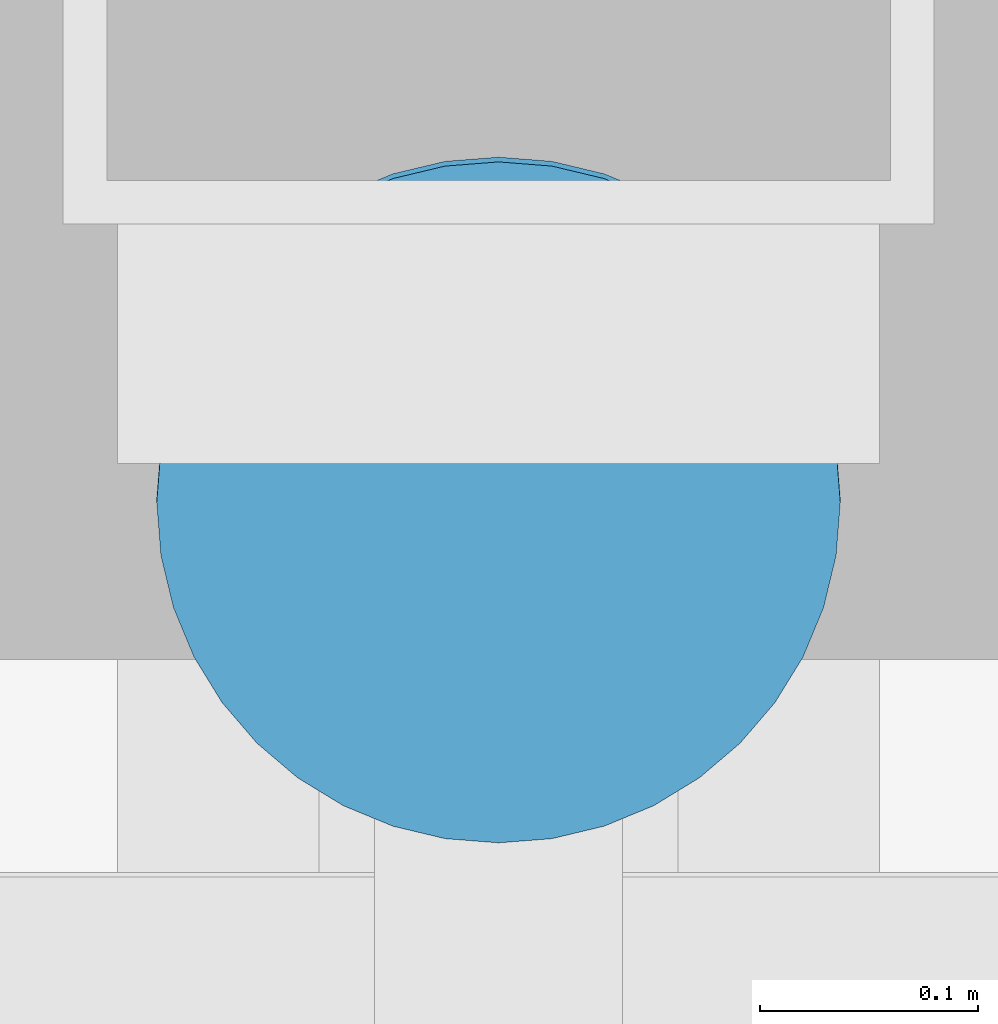
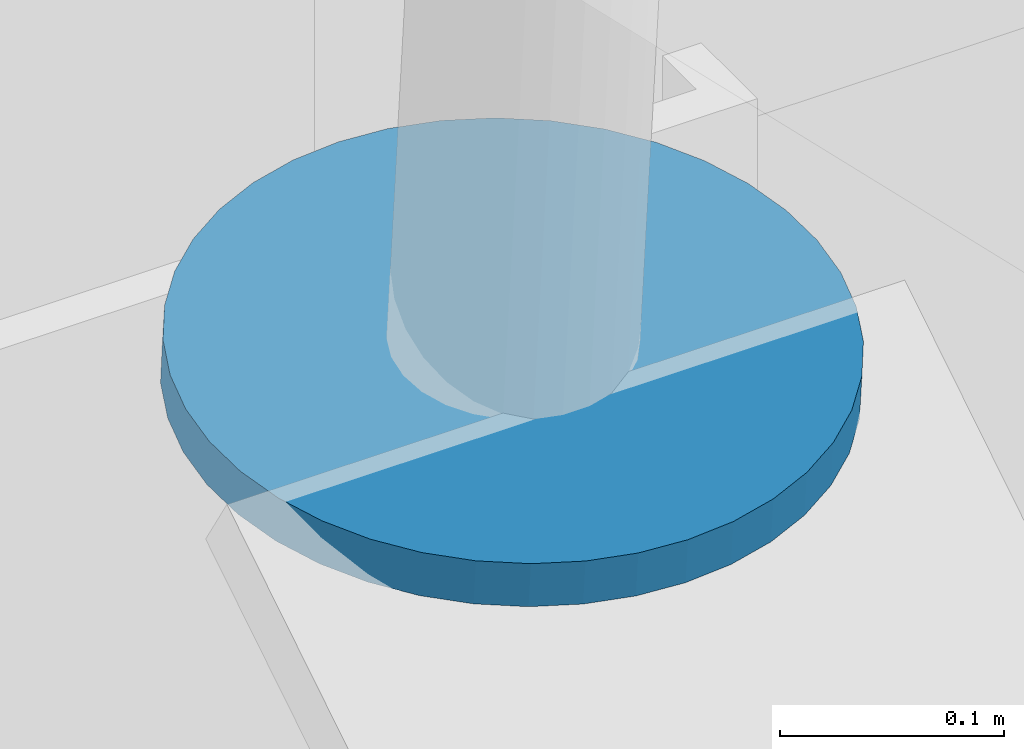
# One storey, part 21 of 25: 1 discrete accessory.
"""IFC4 building model written with IfcOpenShell, lengths in metres."""

import ifcopenshell
import ifcopenshell.guid

model = None  # the IFC model being written
_history = None  # IfcOwnerHistory: only IFC2X3 demands one
_inside = {}  # id of a spatial element -> (the spatial element, [elements in it])
_under = {}  # id of a project, library or spatial element -> (it, [spatial elements below it])
_declared = {}  # id of a project -> (the project, [libraries it declares])
_typed = {}  # id of a type object -> (the type object, [elements of that type])
_made_of = {}  # id of a material, layer set ... -> (it, [elements and type objects made of it])


def new_model(schema):
    """Start an empty IFC model of exactly this schema.

    Asked for "IFC4X3", IfcOpenShell would pick the latest addendum, in which some entities
    have other attributes; the version numbers below select the first issue.
    IFC2X3 requires an IfcOwnerHistory on every rooted entity: one is made here for all.
    """
    global model, _history
    if schema == "IFC4X3":
        model = ifcopenshell.file(schema_version=(4, 3, 0, 0))
    else:
        model = ifcopenshell.file(schema=schema)
    _inside.clear()
    _under.clear()
    _declared.clear()
    _typed.clear()
    _made_of.clear()
    _history = None
    if model.schema == "IFC2X3":
        org = make("IfcOrganization", Name="unknown")
        user = make(
            "IfcPersonAndOrganization",
            ThePerson=make("IfcPerson", FamilyName="unknown"),
            TheOrganization=org,
        )
        app = make(
            "IfcApplication",
            ApplicationDeveloper=org,
            Version="unknown",
            ApplicationFullName="unknown",
            ApplicationIdentifier="unknown",
        )
        _history = make(
            "IfcOwnerHistory",
            OwningUser=user,
            OwningApplication=app,
            ChangeAction="ADDED",
            CreationDate=0,
        )
    return model


def make(cls, **values):
    """One entity of the class cls with the attributes given. An attribute that is None is left unset."""
    return model.create_entity(
        cls, **{name: value for name, value in values.items() if value is not None}
    )


def rooted(cls, **values):
    """An entity with a GlobalId (a new one), such as an element, a storey or a relation."""
    return make(cls, GlobalId=ifcopenshell.guid.new(), OwnerHistory=_history, **values)


def si_unit(unit_type, name, prefix=None):
    """IfcSIUnit, for example si_unit("LENGTHUNIT", "METRE", prefix="MILLI")."""
    return make("IfcSIUnit", UnitType=unit_type, Prefix=prefix, Name=name)


def assignment(units):
    """IfcUnitAssignment: the units of a project."""
    return None if units is None else make("IfcUnitAssignment", Units=units)


def point(xyz):
    """IfcCartesianPoint."""
    return None if xyz is None else make("IfcCartesianPoint", Coordinates=xyz)


def direction(xyz):
    """IfcDirection."""
    return None if xyz is None else make("IfcDirection", DirectionRatios=xyz)


def frame(location, z_axis=None, x_axis=None):
    """IfcAxis2Placement3D, a coordinate frame: its origin and axes. An axis left out is left unset."""
    return make(
        "IfcAxis2Placement3D",
        Location=point(location),
        Axis=direction(z_axis),
        RefDirection=direction(x_axis),
    )


def frame_2d(location, x_axis=None):
    """IfcAxis2Placement2D, a coordinate frame in the plane: its origin and x axis."""
    return make(
        "IfcAxis2Placement2D", Location=point(location), RefDirection=direction(x_axis)
    )


def origin():
    """The frame at (0, 0, 0) with its axes left unset."""
    return frame((0.0, 0.0, 0.0))


def origin_2d():
    """The frame at (0, 0) in the plane with its x axis left unset."""
    return frame_2d((0.0, 0.0))


def place(relative_to, where):
    """IfcLocalPlacement: puts the frame where relative to a parent placement (None: the world)."""
    return make(
        "IfcLocalPlacement", PlacementRelTo=relative_to, RelativePlacement=where
    )


def context(
    kind, dimensions, precision=None, world=None, true_north=None, identifier=None
):
    """IfcGeometricRepresentationContext, for example the 3D "Model" context."""
    return make(
        "IfcGeometricRepresentationContext",
        ContextIdentifier=identifier,
        ContextType=kind,
        CoordinateSpaceDimension=dimensions,
        Precision=precision,
        WorldCoordinateSystem=world,
        TrueNorth=true_north,
    )


def subcontext(parent, identifier, kind, view, scale=None):
    """IfcGeometricRepresentationSubContext, for example "Body" below "Model"."""
    return make(
        "IfcGeometricRepresentationSubContext",
        ContextIdentifier=identifier,
        ContextType=kind,
        ParentContext=parent,
        TargetScale=scale,
        TargetView=view,
    )


def project(units=None, contexts=None):
    """IfcProject with its units and contexts."""
    return rooted(
        "IfcProject",
        Name="project",
        RepresentationContexts=contexts,
        UnitsInContext=assignment(units),
    )


def spatial(cls, under=None, at=None, **own):
    """A site, building, storey or space (cls), placed at a placement, below another one or the project."""
    s = rooted(cls, ObjectPlacement=at, **own)
    if under is not None:
        _under.setdefault(under.id(), (under, []))[1].append(s)
    return s


def profile(cls, at=None, kind="AREA", **sizes):
    """A parametric profile (cls). Its sizes go by their IFC names, for example OverallWidth=200.0."""
    return make(cls, ProfileType=kind, Position=at, **sizes)


def circle(**sizes):
    """IfcCircleProfileDef."""
    return profile("IfcCircleProfileDef", **sizes)


def extrude(swept, where, along, depth):
    """IfcExtrudedAreaSolid: the profile swept, set in the frame where, extruded along a direction by depth."""
    return make(
        "IfcExtrudedAreaSolid",
        SweptArea=swept,
        Position=where,
        ExtrudedDirection=direction(along),
        Depth=depth,
    )


def shape(context_of_items, identifier, shape_type, items):
    """IfcShapeRepresentation: the items that make up one representation, for example the "Body"."""
    return make(
        "IfcShapeRepresentation",
        ContextOfItems=context_of_items,
        RepresentationIdentifier=identifier,
        RepresentationType=shape_type,
        Items=items,
    )


def made_of(thing, what):
    """Note that an element or type object is made of a material, layer set ...; save() writes the relation."""
    if what is not None:
        _made_of.setdefault(what.id(), (what, []))[1].append(thing)
    return thing


def element(
    cls,
    number,
    at=None,
    inside=None,
    cuts=None,
    type_object=None,
    material=None,
    context=None,
    identifier="Body",
    shape_type=None,
    held_by="IfcProductDefinitionShape",
    body=None,
    shapes=None,
    **own,
):
    """One element of the class cls, such as IfcWall. Its Tag is "e" and its number.

    at: its placement. inside: the storey or other place that contains it. cuts: it is an
    opening in that element (IfcRelVoidsElement). A single representation is given by context,
    identifier, shape_type and body (its items); several are given by shapes. held_by: the class
    of the entity that holds the representations. save() writes the other relations.
    """
    e = rooted(cls, Tag="e%d" % number, ObjectPlacement=at, **own)
    if body is not None:
        shapes = [shape(context, identifier, shape_type, body)]
    if shapes is not None:
        e.Representation = make(held_by, Representations=shapes)
    if inside is not None:
        _inside.setdefault(inside.id(), (inside, []))[1].append(e)
    if cuts is not None:
        rooted(
            "IfcRelVoidsElement", RelatingBuildingElement=cuts, RelatedOpeningElement=e
        )
    if type_object is not None:
        _typed.setdefault(type_object.id(), (type_object, []))[1].append(e)
    return made_of(e, material)


def aggregate(whole, parts):
    """IfcRelAggregates: a whole, such as a stair, and the parts it consists of."""
    return rooted("IfcRelAggregates", RelatingObject=whole, RelatedObjects=parts)


def save(model, path):
    """Write the relations noted so far, then the file.

    IfcRelAggregates (storeys below a building ...), IfcRelContainedInSpatialStructure (elements
    in a storey), IfcRelDefinesByType, IfcRelAssociatesMaterial and IfcRelDeclares: one each for
    every whole, place, type object, material and project.
    """
    for whole, parts in _under.values():
        aggregate(whole, parts)
    for where, things in _inside.values():
        rooted(
            "IfcRelContainedInSpatialStructure",
            RelatedElements=things,
            RelatingStructure=where,
        )
    for kind, things in _typed.values():
        rooted("IfcRelDefinesByType", RelatedObjects=things, RelatingType=kind)
    for what, things in _made_of.values():
        rooted("IfcRelAssociatesMaterial", RelatedObjects=things, RelatingMaterial=what)
    for by, libraries in _declared.values():
        rooted("IfcRelDeclares", RelatingContext=by, RelatedDefinitions=libraries)
    model.write(path)


model = new_model("IFC4")

# Units and contexts
model_context = context("Model", 3, precision=1e-05, world=origin(), true_north=direction((0.0, 1.0)))
body_context = subcontext(model_context, "Body", "Model", "MODEL_VIEW")
ifc_project = project(units=[si_unit("LENGTHUNIT", "METRE"), si_unit("AREAUNIT", "SQUARE_METRE"), si_unit("VOLUMEUNIT", "CUBIC_METRE"), si_unit("PLANEANGLEUNIT", "RADIAN"), si_unit("MASSUNIT", "GRAM", prefix="KILO")], contexts=[model_context])

# Site, building, storey
site_placement = place(None, origin())
site = spatial("IfcSite", under=ifc_project, at=site_placement, CompositionType="ELEMENT")
building_placement = place(site_placement, origin())
building = spatial("IfcBuilding", under=site, at=building_placement, Name="Kolab Exchange Tower", CompositionType="ELEMENT")
storey_placement = place(building_placement, frame((0.0, 0.0, 301.89990234375)))
storey = spatial("IfcBuildingStorey", under=building, at=storey_placement, Name="L68", CompositionType="ELEMENT", Elevation=301.89990234375)

# Discrete accessory
discrete_accessory_placement = place(storey_placement, frame((0.0, 15.89990234375, 25.0009765625), z_axis=(0.0, 0.087893810296, -0.996129850025), x_axis=(-1.0, 0.0, 0.0)))
element("IfcDiscreteAccessory", 1, at=discrete_accessory_placement, inside=storey, Name="Gusset plate", ObjectType="GUSSET PLATE", PredefinedType="USERDEFINED", context=body_context, shape_type="SweptSolid", body=[
    extrude(circle(Radius=0.156982421875, at=origin_2d()), origin(), (0.0, 0.0, 1.0), 0.02490234375),
])

save(model, "model.ifc")
